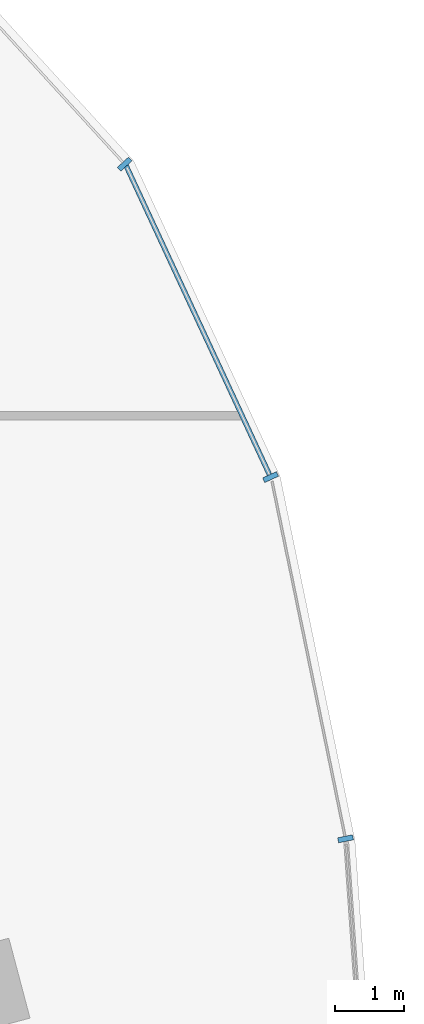
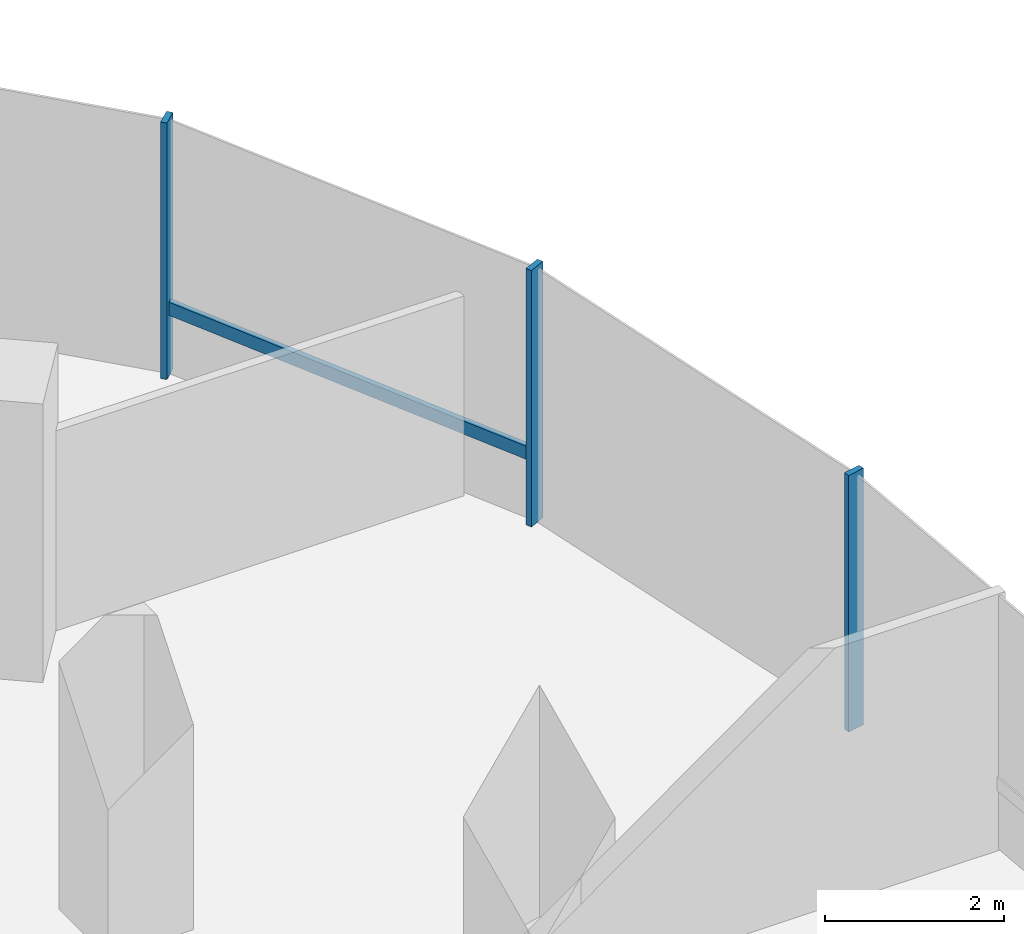
# One storey, part 8 of 21: 4 members, 1 element without a shape of its own.
"""IFC4 building model written with IfcOpenShell, lengths in metres."""

from ifc_helpers import new_model, si_unit, direction, frame, origin, origin_2d, place, context, subcontext, project, spatial, rectangle, extrude, material, material_profile, profile_set, type_object, element, aggregate, save


model = new_model("IFC4")

# Units and contexts
model_context = context("Model", 3, precision=1e-05, world=origin(), true_north=direction((0.0, 1.0)))
body_context = subcontext(model_context, "Body", "Model", "MODEL_VIEW")
ifc_project = project(units=[si_unit("LENGTHUNIT", "METRE"), si_unit("AREAUNIT", "SQUARE_METRE"), si_unit("VOLUMEUNIT", "CUBIC_METRE"), si_unit("PLANEANGLEUNIT", "RADIAN"), si_unit("MASSUNIT", "GRAM", prefix="KILO"), si_unit("THERMODYNAMICTEMPERATUREUNIT", "KELVIN"), si_unit("POWERUNIT", "WATT")], contexts=[model_context])

# Site, building, storey
site_placement = place(None, origin())
site = spatial("IfcSite", under=ifc_project, at=site_placement, CompositionType="ELEMENT")
building_placement = place(site_placement, origin())
building = spatial("IfcBuilding", under=site, at=building_placement, Name="Cundina Bronze Exchange", CompositionType="ELEMENT")
storey_placement = place(building_placement, frame((0.0, 0.0, 65.800048828125)))
storey = spatial("IfcBuildingStorey", under=building, at=storey_placement, Name="L16", CompositionType="ELEMENT", Elevation=65.800048828125)

# Curtain wall, members
ifc_material = material(Name="Anodised Bronze Aluminium 6063-T6", Category="aluminium")
curtain_wall_type = type_object("IfcCurtainWallType", Name="CWS-TRD-LOW", PredefinedType="NOTDEFINED", material=ifc_material)
curtain_wall_placement = place(storey_placement, origin())
curtain_wall = element("IfcCurtainWall", 1, at=curtain_wall_placement, inside=storey, type_object=curtain_wall_type, Name="L16 CW-02 Curtain Wall Run CWR-L16-E1", PredefinedType="NOTDEFINED")
ifc_material_profile_1 = material_profile(ifc_material, rectangle(XDim=0.074951171875, YDim=0.219970703125, at=origin_2d()), Name="AL75X220", Category="aluminium")
ifc_profile_set_1 = profile_set([ifc_material_profile_1], Name="Anodised Bronze Aluminium 6063-T6")
member_type_1 = type_object("IfcMemberType", Name="CWM-MUL-220", PredefinedType="MULLION", material=ifc_profile_set_1)
member_1_placement = place(storey_placement, frame((50.717041015625, 8.67822265625, 0.0), z_axis=(0.0, 0.0, 1.0), x_axis=(-0.201419845156, 0.979505000486, 0.0)))
member_1 = element("IfcMember", 2, at=member_1_placement, type_object=member_type_1, Name="CW-02 Mullion 2", PredefinedType="MULLION", context=body_context, shape_type="SweptSolid", body=[
    extrude(rectangle(XDim=0.074951171875, YDim=0.219970703125, at=origin_2d()), origin(), (0.0, 0.0, 1.0), 3.5),
])
member_2_placement = place(storey_placement, frame((49.6279296875, 13.931884765625, 0.0), z_axis=(0.0, 0.0, 1.0), x_axis=(-0.42087749791, 0.907117485088, 0.0)))
member_2 = element("IfcMember", 3, at=member_2_placement, type_object=member_type_1, Name="CW-02 Mullion 3", PredefinedType="MULLION", context=body_context, shape_type="SweptSolid", body=[
    extrude(rectangle(XDim=0.074951171875, YDim=0.219970703125, at=origin_2d()), origin(), (0.0, 0.0, 1.0), 3.5),
])
member_3_placement = place(storey_placement, frame((47.508544921875, 18.47705078125, 0.0), z_axis=(0.0, 0.0, 1.0), x_axis=(-0.674302387584, 0.738455340626, 0.0)))
member_3 = element("IfcMember", 4, at=member_3_placement, type_object=member_type_1, Name="CW-02 Mullion 4", PredefinedType="MULLION", context=body_context, shape_type="SweptSolid", body=[
    extrude(rectangle(XDim=0.074951171875, YDim=0.219970703125, at=origin_2d()), origin(), (0.0, 0.0, 1.0), 3.5),
])
ifc_material_profile_2 = material_profile(ifc_material, rectangle(XDim=0.070068359375, YDim=0.179931640625, at=origin_2d()), Name="AL70X180", Category="aluminium")
ifc_profile_set_2 = profile_set([ifc_material_profile_2], Name="Anodised Bronze Aluminium 6063-T6")
member_type_2 = type_object("IfcMemberType", Name="CWM-TRN-180", PredefinedType="USERDEFINED", material=ifc_profile_set_2)
member_4_placement = place(storey_placement, frame((49.610595703125, 13.96923828125, 0.919921875), z_axis=(-0.420811422796, 0.907148139195, 0.0), x_axis=(-0.907148139195, -0.420811422796, 0.0)))
member_4 = element("IfcMember", 5, at=member_4_placement, type_object=member_type_2, Name="CW-02 Spandrel Transom 3", ObjectType="TRANSOM", PredefinedType="USERDEFINED", context=body_context, shape_type="SweptSolid", body=[
    extrude(rectangle(XDim=0.070068359375, YDim=0.179931640625, at=origin_2d()), origin(), (0.0, 0.0, 1.0), 4.95166015625),
])
aggregate(curtain_wall, [member_1, member_2, member_4, member_3])

save(model, "model.ifc")
